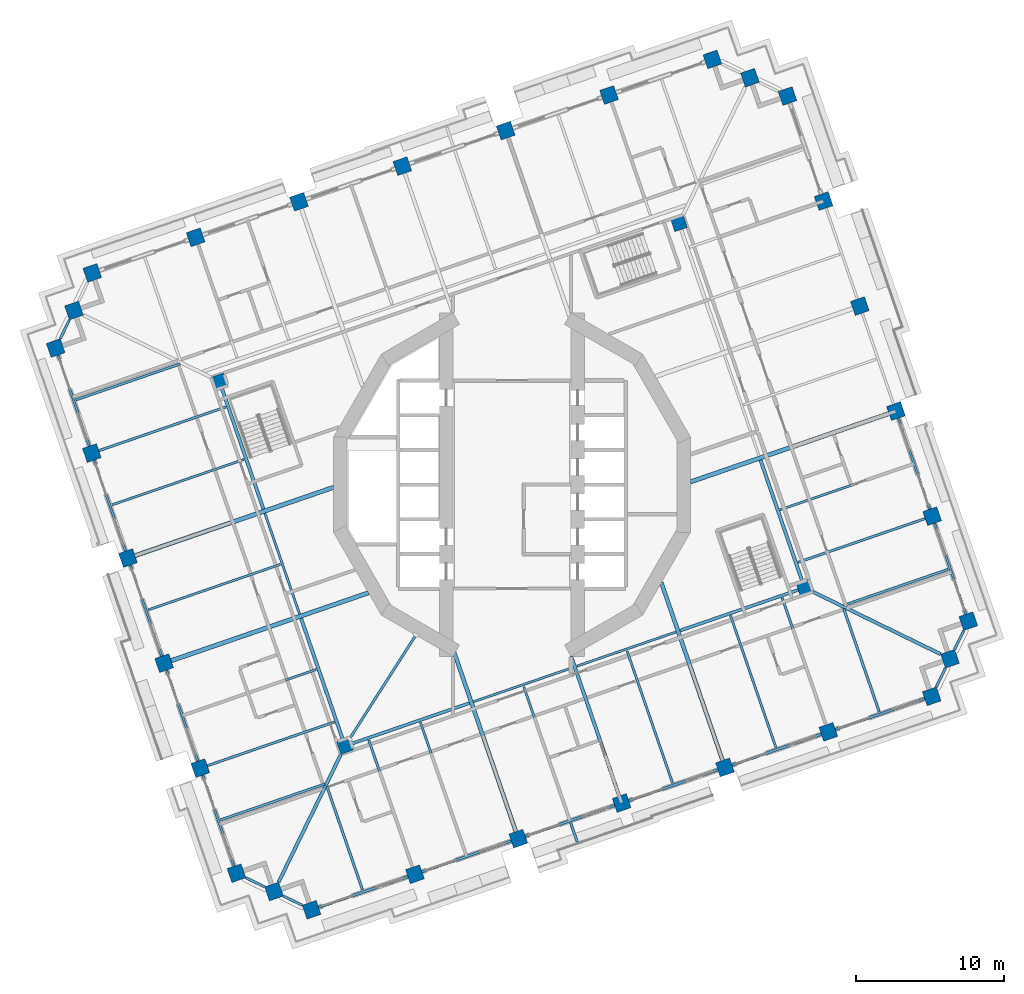
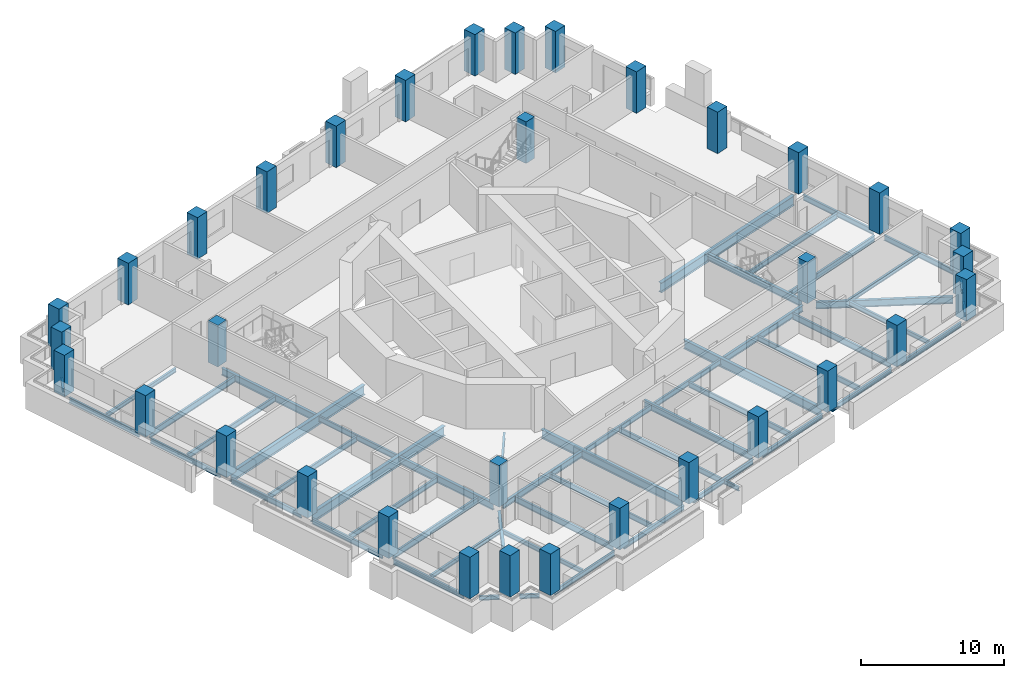
# One storey, part 1 of 19: 54 beams, 34 columns.
"""IFC4 building model written with IfcOpenShell, lengths in metres."""

from ifc_helpers import new_model, si_unit, direction, frame, origin, origin_2d, place, context, subcontext, project, spatial, rectangle, i_section, extrude, material, material_profile, profile_set, type_object, element, save


model = new_model("IFC4")

# Units and contexts
model_context = context("Model", 3, precision=1e-05, world=origin(), true_north=direction((0.0, 1.0)))
body_context = subcontext(model_context, "Body", "Model", "MODEL_VIEW")
ifc_project = project(units=[si_unit("LENGTHUNIT", "METRE"), si_unit("AREAUNIT", "SQUARE_METRE"), si_unit("VOLUMEUNIT", "CUBIC_METRE"), si_unit("PLANEANGLEUNIT", "RADIAN"), si_unit("MASSUNIT", "GRAM", prefix="KILO")], contexts=[model_context])

# Site, building, storey
site_placement = place(None, origin())
site = spatial("IfcSite", under=ifc_project, at=site_placement, CompositionType="ELEMENT")
building_placement = place(site_placement, origin())
building = spatial("IfcBuilding", under=site, at=building_placement, Name="Cantera Rosa Tower", CompositionType="ELEMENT")
storey_placement = place(building_placement, frame((0.0, 0.0, 123.10009765625)))
storey = spatial("IfcBuildingStorey", under=building, at=storey_placement, Name="L25", CompositionType="ELEMENT", Elevation=123.10009765625)

# Columns
ifc_material_1 = material(Name="Concrete C70/85", Category="concrete")
ifc_material_profile_1 = material_profile(ifc_material_1, rectangle(XDim=1.0, YDim=1.0, at=origin_2d()), Name="RC COLUMN RC1000X1000 C70/85")
ifc_profile_set_1 = profile_set([ifc_material_profile_1], Name="Concrete C70/85")
column_type_1 = type_object("IfcColumnType", Name="RC COLUMN RC1000X1000 C70/85", PredefinedType="COLUMN", material=ifc_profile_set_1)
for number, where, z_axis, x_axis, name in (
    (1, (30.893310546875, -9.245849609375, 0.0), (0.0, 0.0, 1.0), (0.945518575599, 0.325568154457, 0.0), "C-Z2-01 L25"),
    (2, (28.445068359375, -2.135498046875, 0.0), (0.0, 0.0, 1.0), (0.945518575599, 0.325568154457, 0.0), "C-Z2-02 L25"),
    (3, (25.996826171875, 4.974853515625, 0.0), (0.0, 0.0, 1.0), (0.945518575599, 0.325568154457, 0.0), "C-Z2-03 L25"),
    (4, (23.54833984375, 12.0849609375, 0.0), (0.0, 0.0, 1.0), (0.945518575599, 0.325568154457, 0.0), "C-Z2-04 L25"),
    (5, (21.10009765625, 19.1953125, 0.0), (0.0, 0.0, 1.0), (0.945518575599, 0.325568154457, 0.0), "C-Z2-05 L25"),
    (6, (18.65185546875, 26.3056640625, 0.0), (0.0, 0.0, 1.0), (0.945518575599, 0.325568154457, 0.0), "C-Z2-06 L25"),
    (7, (16.109619140625, 27.545654296875, 0.0), (0.0, 0.0, 1.0), (0.945518575599, 0.325568154457, 0.0), "C-Z2-07 L25"),
    (8, (13.567626953125, 28.785400390625, 0.0), (0.0, 0.0, 1.0), (0.945518575599, 0.325568154457, 0.0), "C-Z2-08 L25"),
    (9, (6.57080078125, 26.376220703125, 0.0), (0.0, 0.0, 1.0), (0.945518575599, 0.325568154457, 0.0), "C-Z2-09 L25"),
    (10, (-0.426025390625, 23.967041015625, 0.0), (0.0, 0.0, 1.0), (0.945518575599, 0.325568154457, 0.0), "C-Z2-10 L25"),
    (11, (-7.4228515625, 21.557861328125, 0.0), (0.0, 0.0, 1.0), (0.945518575599, 0.325568154457, 0.0), "C-Z2-11 L25"),
    (12, (-14.419677734375, 19.148681640625, 0.0), (0.0, 0.0, 1.0), (0.945518575599, 0.325568154457, 0.0), "C-Z2-12 L25"),
    (13, (-21.416748046875, 16.739501953125, 0.0), (0.0, 0.0, 1.0), (0.945518575599, 0.325568154457, 0.0), "C-Z2-13 L25"),
    (14, (-28.41357421875, 14.330322265625, 0.0), (0.0, 0.0, 1.0), (0.945518575599, 0.325568154457, 0.0), "C-Z2-14 L25"),
    (15, (-29.6533203125, 11.7880859375, 0.0), (0.0, 0.0, 1.0), (0.945518575599, 0.325568154457, 0.0), "C-Z2-15 L25"),
    (16, (-30.893310546875, 9.245849609375, 0.0), (0.0, 0.0, 1.0), (0.945518575599, 0.325568154457, 0.0), "C-Z2-16 L25"),
    (17, (-28.445068359375, 2.135498046875, 0.0), (0.0, 0.0, 1.0), (0.945518575599, 0.325568154457, 0.0), "C-Z2-17 L25"),
    (18, (-25.996826171875, -4.974853515625, 0.0), (0.0, 0.0, 1.0), (0.945518575599, 0.325568154457, 0.0), "C-Z2-18 L25"),
    (19, (-23.54833984375, -12.0849609375, 0.0), (0.0, 0.0, 1.0), (0.945518575599, 0.325568154457, 0.0), "C-Z2-19 L25"),
    (20, (-21.10009765625, -19.1953125, 0.0), (0.0, 0.0, 1.0), (0.945518575599, 0.325568154457, 0.0), "C-Z2-20 L25"),
    (21, (-18.65185546875, -26.3056640625, 0.0), (0.0, 0.0, 1.0), (0.945518575599, 0.325568154457, 0.0), "C-Z2-21 L25"),
    (22, (-16.109619140625, -27.545654296875, 0.0), (0.0, 0.0, 1.0), (0.945518575599, 0.325568154457, 0.0), "C-Z2-22 L25"),
    (23, (-13.567626953125, -28.785400390625, 0.0), (0.0, 0.0, 1.0), (0.945518575599, 0.325568154457, 0.0), "C-Z2-23 L25"),
    (24, (-6.57080078125, -26.376220703125, 0.0), (0.0, 0.0, 1.0), (0.945518575599, 0.325568154457, 0.0), "C-Z2-24 L25"),
    (25, (0.426025390625, -23.967041015625, 0.0), (0.0, 0.0, 1.0), (0.945518575599, 0.325568154457, 0.0), "C-Z2-25 L25"),
    (26, (7.4228515625, -21.557861328125, 0.0), (0.0, 0.0, 1.0), (0.945518575599, 0.325568154457, 0.0), "C-Z2-26 L25"),
    (27, (14.419677734375, -19.148681640625, 0.0), (0.0, 0.0, 1.0), (0.945518575599, 0.325568154457, 0.0), "C-Z2-27 L25"),
    (28, (21.416748046875, -16.739501953125, 0.0), (0.0, 0.0, 1.0), (0.945518575599, 0.325568154457, 0.0), "C-Z2-28 L25"),
    (29, (28.41357421875, -14.330322265625, 0.0), (0.0, 0.0, 1.0), (0.945518575599, 0.325568154457, 0.0), "C-Z2-29 L25"),
    (30, (29.6533203125, -11.7880859375, 0.0), (0.0, 0.0, 1.0), (0.945518575599, 0.325568154457, 0.0), "C-Z2-30 L25"),
):
    element("IfcColumn", number, at=place(storey_placement, frame(where, z_axis=z_axis, x_axis=x_axis)), inside=storey, type_object=column_type_1, Name=name, PredefinedType="COLUMN", context=body_context, shape_type="SweptSolid", body=[
        extrude(rectangle(XDim=1.0, YDim=1.0, at=origin_2d()), origin(), (0.0, 0.0, 1.0), 3.5498046875),
    ])
ifc_material_2 = material(Name="Concrete C70/85", Category="concrete")
ifc_material_profile_2 = material_profile(ifc_material_2, rectangle(XDim=0.89990234375, YDim=0.89990234375, at=origin_2d()), Name="RC RING COLUMN RC900X900 C70/85")
ifc_profile_set_2 = profile_set([ifc_material_profile_2], Name="Concrete C70/85")
column_type_2 = type_object("IfcColumnType", Name="RC RING COLUMN RC900X900 C70/85", PredefinedType="COLUMN", material=ifc_profile_set_2)
for number, where, z_axis, x_axis, name in (
    (31, (11.30517578125, 17.694580078125, 0.0), (0.0, 0.0, 1.0), (0.945518575599, 0.325568154457, 0.0), "CI-Z2-1 L25"),
    (32, (-19.802490234375, 6.9833984375, 0.0), (0.0, 0.0, 1.0), (0.945518575599, 0.325568154457, 0.0), "CI-Z2-2 L25"),
    (33, (-11.30517578125, -17.694580078125, 0.0), (0.0, 0.0, 1.0), (0.945518575599, 0.325568154457, 0.0), "CI-Z2-3 L25"),
    (34, (19.802490234375, -6.9833984375, 0.0), (0.0, 0.0, 1.0), (0.945518575599, 0.325568154457, 0.0), "CI-Z2-4 L25"),
):
    element("IfcColumn", number, at=place(storey_placement, frame(where, z_axis=z_axis, x_axis=x_axis)), inside=storey, type_object=column_type_2, Name=name, PredefinedType="COLUMN", context=body_context, shape_type="SweptSolid", body=[
        extrude(rectangle(XDim=0.89990234375, YDim=0.89990234375, at=origin_2d()), origin(), (0.0, 0.0, 1.0), 3.5498046875),
    ])

# Beams
ifc_material_3 = material(Name="Steel ASTM A992 (Fy 345 MPa)", Category="steel")
ifc_material_profile_3 = material_profile(ifc_material_3, i_section(OverallWidth=0.154052734375, OverallDepth=0.4599609375, WebThickness=0.009033203125, FlangeThickness=0.015380859375, FilletRadius=0.01025390625, at=origin_2d()), Name="W460X68")
ifc_profile_set_3 = profile_set([ifc_material_profile_3], Name="Steel ASTM A992 (Fy 345 MPa)")
beam_type_1 = type_object("IfcBeamType", Name="STEEL BEAM W460X68", PredefinedType="BEAM", material=ifc_profile_set_3)
for number, where, z_axis, x_axis, name in (
    (35, (-2.6064453125, -14.699462890625, -0.47998046875), (0.9455219702, 0.325558295653, 0.0), (-0.325558295653, 0.9455219702, 0.0), "RB-Z2-06 L25"),
    (36, (4.390380859375, -12.290283203125, -0.47998046875), (0.9455219702, 0.325558295653, 0.0), (-0.325558295653, 0.9455219702, 0.0), "RB-Z2-07 L25"),
):
    element("IfcBeam", number, at=place(storey_placement, frame(where, z_axis=z_axis, x_axis=x_axis)), inside=storey, type_object=beam_type_1, Name=name, PredefinedType="BEAM", context=body_context, shape_type="SweptSolid", body=[
        extrude(i_section(OverallWidth=0.154052734375, OverallDepth=0.4599609375, WebThickness=0.009033203125, FlangeThickness=0.015380859375, FilletRadius=0.01025390625, at=origin_2d()), origin(), (0.0, 0.0, 1.0), 7.10009765625),
    ])
beam_1_placement = place(storey_placement, frame((-14.37841796875, -8.768798828125, -0.47998046875), z_axis=(-0.325575881702, 0.94551591486, 0.0), x_axis=(-0.94551591486, -0.325575881702, 0.0)))
element("IfcBeam", 37, at=beam_1_placement, inside=storey, type_object=beam_type_1, Name="RB-Z2-13 L25", PredefinedType="BEAM", context=body_context, shape_type="SweptSolid", body=[
    extrude(i_section(OverallWidth=0.154052734375, OverallDepth=0.4599609375, WebThickness=0.009033203125, FlangeThickness=0.015380859375, FilletRadius=0.01025390625, at=origin_2d()), origin(), (0.0, 0.0, 1.0), 7.2197265625),
])
ifc_material_4 = material(Name="Steel ASTM A992 (Fy 345 MPa)", Category="steel")
ifc_material_profile_4 = material_profile(ifc_material_4, i_section(OverallWidth=0.166015625, OverallDepth=0.528076171875, WebThickness=0.009765625, FlangeThickness=0.013671875, FilletRadius=0.0126953125, at=origin_2d()), Name="W530X74")
ifc_profile_set_4 = profile_set([ifc_material_profile_4], Name="Steel ASTM A992 (Fy 345 MPa)")
beam_type_2 = type_object("IfcBeamType", Name="STEEL BEAM W530X74", PredefinedType="BEAM", material=ifc_profile_set_4)
for number, where, z_axis, x_axis, name in (
    (38, (27.97216796875, -2.29833984375, -0.51416015625), (-0.94551971591, -0.325564842737, 0.0), (0.325564842737, -0.94551971591, 0.0), "G-Z2-01 L25"),
    (39, (-6.7333984375, -25.903564453125, -0.51416015625), (-0.325588827377, 0.945511457089, 0.0), (-0.945511457089, -0.325588827377, 0.0), "G-Z2-10 L25"),
    (40, (21.25390625, -16.2666015625, -0.51416015625), (-0.325564842737, 0.94551971591, 0.0), (-0.94551971591, -0.325564842737, 0.0), "G-Z2-14 L25"),
    (41, (-27.97216796875, 2.29833984375, -0.51416015625), (0.94551971591, 0.325564842737, 0.0), (-0.325564842737, 0.94551971591, 0.0), "G-Z2-15 L25"),
    (42, (-20.62744140625, -19.032470703125, -0.51416015625), (0.94551971591, 0.325564842737, 0.0), (-0.325564842737, 0.94551971591, 0.0), "G-Z2-18 L25"),
):
    element("IfcBeam", number, at=place(storey_placement, frame(where, z_axis=z_axis, x_axis=x_axis)), inside=storey, type_object=beam_type_2, Name=name, PredefinedType="BEAM", context=body_context, shape_type="SweptSolid", body=[
        extrude(i_section(OverallWidth=0.166015625, OverallDepth=0.528076171875, WebThickness=0.009765625, FlangeThickness=0.013671875, FilletRadius=0.0126953125, at=origin_2d()), origin(), (0.0, 0.0, 1.0), 9.10009765625),
    ])
beam_2_placement = place(storey_placement, frame((-10.995849609375, -17.21044921875, -0.51416015625), z_axis=(0.538396209095, 0.842691830999, 0.0), x_axis=(-0.842691830999, 0.538396209095, 0.0)))
element("IfcBeam", 43, at=beam_2_placement, inside=storey, type_object=beam_type_2, Name="PG-Z2-01 L25", PredefinedType="BEAM", context=body_context, shape_type="SweptSolid", body=[
    extrude(i_section(OverallWidth=0.166015625, OverallDepth=0.528076171875, WebThickness=0.009765625, FlangeThickness=0.013671875, FilletRadius=0.0126953125, at=origin_2d()), origin(), (0.0, 0.0, 1.0), 8.3369140625),
])
ifc_material_5 = material(Name="Steel ASTM A992 (Fy 345 MPa)", Category="steel")
ifc_material_profile_5 = material_profile(ifc_material_5, i_section(OverallWidth=0.208984375, OverallDepth=0.532958984375, WebThickness=0.01025390625, FlangeThickness=0.015625, FilletRadius=0.0126953125, at=origin_2d()), Name="W530X92")
ifc_profile_set_5 = profile_set([ifc_material_profile_5], Name="Steel ASTM A992 (Fy 345 MPa)")
beam_type_3 = type_object("IfcBeamType", Name="STEEL BEAM W530X92", PredefinedType="BEAM", material=ifc_profile_set_5)
beam_3_placement = place(storey_placement, frame((-10.879638671875, -17.548095703125, -0.5166015625), z_axis=(0.945522715377, 0.325556131421, 0.0), x_axis=(-0.325556131421, 0.945522715377, 0.0)))
element("IfcBeam", 44, at=beam_3_placement, inside=storey, type_object=beam_type_3, Name="RB-Z2-05 L25", PredefinedType="BEAM", context=body_context, shape_type="SweptSolid", body=[
    extrude(i_section(OverallWidth=0.208984375, OverallDepth=0.532958984375, WebThickness=0.01025390625, FlangeThickness=0.015625, FilletRadius=0.0126953125, at=origin_2d()), origin(), (0.0, 0.0, 1.0), 8.4501953125),
])
beam_4_placement = place(storey_placement, frame((11.387451171875, -9.880859375, -0.5166015625), z_axis=(0.945519653071, 0.325565025235, 0.0), x_axis=(-0.325565025235, 0.945519653071, 0.0)))
element("IfcBeam", 45, at=beam_4_placement, inside=storey, type_object=beam_type_3, Name="RB-Z2-08 L25", PredefinedType="BEAM", context=body_context, shape_type="SweptSolid", body=[
    extrude(i_section(OverallWidth=0.208984375, OverallDepth=0.532958984375, WebThickness=0.01025390625, FlangeThickness=0.015625, FilletRadius=0.0126953125, at=origin_2d()), origin(), (0.0, 0.0, 1.0), 8.449951171875),
])
ifc_material_6 = material(Name="Steel ASTM A992 (Fy 345 MPa)", Category="steel")
ifc_material_profile_6 = material_profile(ifc_material_6, i_section(OverallWidth=0.22802734375, OverallDepth=0.60205078125, WebThickness=0.010498046875, FlangeThickness=0.014892578125, FilletRadius=0.0126953125, at=origin_2d()), Name="W610X101")
ifc_profile_set_6 = profile_set([ifc_material_profile_6], Name="Steel ASTM A992 (Fy 345 MPa)")
beam_type_4 = type_object("IfcBeamType", Name="STEEL BEAM W610X101", PredefinedType="BEAM", material=ifc_profile_set_6)
beam_5_placement = place(storey_placement, frame((-15.7998046875, -26.909912109375, -0.551025390625), z_axis=(0.438387618569, 0.898786012288, 0.0), x_axis=(-0.898786012288, 0.438387618569, 0.0)))
element("IfcBeam", 46, at=beam_5_placement, inside=storey, type_object=beam_type_4, Name="CB-Z2-03 L25", PredefinedType="BEAM", context=body_context, shape_type="SweptSolid", body=[
    extrude(i_section(OverallWidth=0.22802734375, OverallDepth=0.60205078125, WebThickness=0.010498046875, FlangeThickness=0.014892578125, FilletRadius=0.0126953125, at=origin_2d()), origin(), (0.0, 0.0, 1.0), 9.61669921875),
])
beam_6_placement = place(storey_placement, frame((29.017822265625, -11.47802734375, -0.551025390625), z_axis=(-0.898796015179, 0.438367109965, 0.0), x_axis=(-0.438367109965, -0.898796015179, 0.0)))
element("IfcBeam", 47, at=beam_6_placement, inside=storey, type_object=beam_type_4, Name="CB-Z2-04 L25", PredefinedType="BEAM", context=body_context, shape_type="SweptSolid", body=[
    extrude(i_section(OverallWidth=0.22802734375, OverallDepth=0.60205078125, WebThickness=0.010498046875, FlangeThickness=0.014892578125, FilletRadius=0.0126953125, at=origin_2d()), origin(), (0.0, 0.0, 1.0), 9.616455078125),
])
beam_7_placement = place(storey_placement, frame((7.26025390625, -21.0849609375, -0.551025390625), z_axis=(-0.325587365823, 0.945511960377, 0.0), x_axis=(-0.945511960377, -0.325587365823, 0.0)))
element("IfcBeam", 48, at=beam_7_placement, inside=storey, type_object=beam_type_4, Name="G-Z2-12 L25", PredefinedType="BEAM", context=body_context, shape_type="SweptSolid", body=[
    extrude(i_section(OverallWidth=0.22802734375, OverallDepth=0.60205078125, WebThickness=0.010498046875, FlangeThickness=0.014892578125, FilletRadius=0.0126953125, at=origin_2d()), origin(), (0.0, 0.0, 1.0), 10.0),
])
for number, where, z_axis, x_axis, name in (
    (49, (19.656005859375, -6.557861328125, -0.551025390625), (-0.325584584945, 0.945512917969, 0.0), (-0.945512917969, -0.325584584945, 0.0), "RB-Z2-09 L25"),
    (50, (-11.45166015625, -17.26904296875, -0.551025390625), (-0.325559468466, 0.945521566381, 0.0), (-0.945521566381, -0.325559468466, 0.0), "RB-Z2-12 L25"),
    (51, (-16.82666015625, -1.65869140625, -0.551025390625), (-0.325584584945, 0.945512917969, 0.0), (-0.945512917969, -0.325584584945, 0.0), "RB-Z2-14 L25"),
):
    element("IfcBeam", number, at=place(storey_placement, frame(where, z_axis=z_axis, x_axis=x_axis)), inside=storey, type_object=beam_type_4, Name=name, PredefinedType="BEAM", context=body_context, shape_type="SweptSolid", body=[
        extrude(i_section(OverallWidth=0.22802734375, OverallDepth=0.60205078125, WebThickness=0.010498046875, FlangeThickness=0.014892578125, FilletRadius=0.0126953125, at=origin_2d()), origin(), (0.0, 0.0, 1.0), 8.68994140625),
    ])
ifc_material_7 = material(Name="Steel ASTM A992 (Fy 345 MPa)", Category="steel")
ifc_material_profile_7 = material_profile(ifc_material_7, i_section(OverallWidth=0.26708984375, OverallDepth=0.75390625, WebThickness=0.01318359375, FlangeThickness=0.01708984375, FilletRadius=0.0166015625, at=origin_2d()), Name="W760X147")
ifc_profile_set_7 = profile_set([ifc_material_profile_7], Name="Steel ASTM A992 (Fy 345 MPa)")
beam_type_5 = type_object("IfcBeamType", Name="STEEL BEAM W760X147", PredefinedType="BEAM", material=ifc_profile_set_7)
beam_8_placement = place(storey_placement, frame((0.263427734375, -23.494384765625, -0.627197265625), z_axis=(-0.325569500581, 0.945518112091, 0.0), x_axis=(-0.945518112091, -0.325569500581, 0.0)))
element("IfcBeam", 52, at=beam_8_placement, inside=storey, type_object=beam_type_5, Name="G-Z2-11 L25", PredefinedType="BEAM", context=body_context, shape_type="SweptSolid", body=[
    extrude(i_section(OverallWidth=0.26708984375, OverallDepth=0.75390625, WebThickness=0.01318359375, FlangeThickness=0.01708984375, FilletRadius=0.0166015625, at=origin_2d()), origin(), (0.0, 0.0, 1.0), 13.09521484375),
])
beam_9_placement = place(storey_placement, frame((14.257080078125, -18.67578125, -0.627197265625), z_axis=(-0.325575880476, 0.945515915282, 0.0), x_axis=(-0.945515915282, -0.325575880476, 0.0)))
element("IfcBeam", 53, at=beam_9_placement, inside=storey, type_object=beam_type_5, Name="G-Z2-13 L25", PredefinedType="BEAM", context=body_context, shape_type="SweptSolid", body=[
    extrude(i_section(OverallWidth=0.26708984375, OverallDepth=0.75390625, WebThickness=0.01318359375, FlangeThickness=0.01708984375, FilletRadius=0.0166015625, at=origin_2d()), origin(), (0.0, 0.0, 1.0), 12.734375),
])
ifc_material_8 = material(Name="Steel ASTM A992 (Fy 345 MPa)", Category="steel")
ifc_material_profile_8 = material_profile(ifc_material_8, i_section(OverallWidth=0.2919921875, OverallDepth=0.8359375, WebThickness=0.013916015625, FlangeThickness=0.018798828125, FilletRadius=0.017822265625, at=origin_2d()), Name="W840X176")
ifc_profile_set_8 = profile_set([ifc_material_profile_8], Name="Steel ASTM A992 (Fy 345 MPa)")
beam_type_6 = type_object("IfcBeamType", Name="STEEL BEAM W840X176", PredefinedType="BEAM", material=ifc_profile_set_8)
for number, where, z_axis, x_axis, name in (
    (54, (25.52392578125, 4.81201171875, -0.668212890625), (-0.945515154884, -0.325578088765, 0.0), (0.325578088765, -0.945515154884, 0.0), "G-Z2-02 L25"),
    (55, (-25.52392578125, -4.81201171875, -0.668212890625), (0.945515154884, 0.325578088765, 0.0), (-0.325578088765, 0.945515154884, 0.0), "G-Z2-16 L25"),
):
    element("IfcBeam", number, at=place(storey_placement, frame(where, z_axis=z_axis, x_axis=x_axis)), inside=storey, type_object=beam_type_6, Name=name, PredefinedType="BEAM", context=body_context, shape_type="SweptSolid", body=[
        extrude(i_section(OverallWidth=0.2919921875, OverallDepth=0.8359375, WebThickness=0.013916015625, FlangeThickness=0.018798828125, FilletRadius=0.017822265625, at=origin_2d()), origin(), (0.0, 0.0, 1.0), 14.22509765625),
    ])
beam_10_placement = place(storey_placement, frame((-23.07568359375, -11.92236328125, -0.668212890625), z_axis=(0.945516836256, 0.325573205833, 0.0), x_axis=(-0.325573205833, 0.945516836256, 0.0)))
element("IfcBeam", 56, at=beam_10_placement, inside=storey, type_object=beam_type_6, Name="G-Z2-17 L25", PredefinedType="BEAM", context=body_context, shape_type="SweptSolid", body=[
    extrude(i_section(OverallWidth=0.2919921875, OverallDepth=0.8359375, WebThickness=0.013916015625, FlangeThickness=0.018798828125, FilletRadius=0.017822265625, at=origin_2d()), origin(), (0.0, 0.0, 1.0), 14.130615234375),
])
ifc_material_9 = material(Name="Steel ASTM A992 (Fy 345 MPa)", Category="steel")
ifc_material_profile_9 = material_profile(ifc_material_9, i_section(OverallWidth=0.1708984375, OverallDepth=0.35595703125, WebThickness=0.00732421875, FlangeThickness=0.01171875, FilletRadius=0.010009765625, at=origin_2d()), Name="W360X51")
ifc_profile_set_9 = profile_set([ifc_material_profile_9], Name="Steel ASTM A992 (Fy 345 MPa)")
beam_type_7 = type_object("IfcBeamType", Name="STEEL JOIST W360X51", PredefinedType="JOIST", material=ifc_profile_set_9)
beam_11_placement = place(storey_placement, frame((29.52734375, -5.739501953125, -0.427978515625), z_axis=(-0.945521732807, -0.325558985116, 0.0), x_axis=(0.325558985116, -0.945521732807, 0.0)))
element("IfcBeam", 57, at=beam_11_placement, inside=storey, type_object=beam_type_7, Name="B-Z2-01 L25", PredefinedType="JOIST", context=body_context, shape_type="SweptSolid", body=[
    extrude(i_section(OverallWidth=0.1708984375, OverallDepth=0.35595703125, WebThickness=0.00732421875, FlangeThickness=0.01171875, FilletRadius=0.010009765625, at=origin_2d()), origin(), (0.0, 0.0, 1.0), 7.460205078125),
])
for number, where, z_axis, x_axis, name in (
    (58, (-10.117919921875, -27.43896484375, -0.427978515625), (-0.325565645331, 0.945519439557, 0.0), (-0.945519439557, -0.325565645331, 0.0), "B-Z2-12 L25"),
    (59, (24.8662109375, -15.39306640625, -0.427978515625), (-0.325565645331, 0.945519439557, 0.0), (-0.945519439557, -0.325565645331, 0.0), "B-Z2-17 L25"),
):
    element("IfcBeam", number, at=place(storey_placement, frame(where, z_axis=z_axis, x_axis=x_axis)), inside=storey, type_object=beam_type_7, Name=name, PredefinedType="JOIST", context=body_context, shape_type="SweptSolid", body=[
        extrude(i_section(OverallWidth=0.1708984375, OverallDepth=0.35595703125, WebThickness=0.00732421875, FlangeThickness=0.01171875, FilletRadius=0.010009765625, at=origin_2d()), origin(), (0.0, 0.0, 1.0), 7.39990234375),
    ])
beam_12_placement = place(storey_placement, frame((-29.52734375, 5.739501953125, -0.427978515625), z_axis=(0.945521732807, 0.325558985116, 0.0), x_axis=(-0.325558985116, 0.945521732807, 0.0)))
element("IfcBeam", 60, at=beam_12_placement, inside=storey, type_object=beam_type_7, Name="B-Z2-18 L25", PredefinedType="JOIST", context=body_context, shape_type="SweptSolid", body=[
    extrude(i_section(OverallWidth=0.1708984375, OverallDepth=0.35595703125, WebThickness=0.00732421875, FlangeThickness=0.01171875, FilletRadius=0.010009765625, at=origin_2d()), origin(), (0.0, 0.0, 1.0), 7.460205078125),
])
beam_13_placement = place(storey_placement, frame((-19.734130859375, -22.70166015625, -0.427978515625), z_axis=(0.945518264054, 0.32556905925, 0.0), x_axis=(-0.32556905925, 0.945518264054, 0.0)))
element("IfcBeam", 61, at=beam_13_placement, inside=storey, type_object=beam_type_7, Name="B-Z2-22 L25", PredefinedType="JOIST", context=body_context, shape_type="SweptSolid", body=[
    extrude(i_section(OverallWidth=0.1708984375, OverallDepth=0.35595703125, WebThickness=0.00732421875, FlangeThickness=0.01171875, FilletRadius=0.010009765625, at=origin_2d()), origin(), (0.0, 0.0, 1.0), 7.4599609375),
])
beam_14_placement = place(storey_placement, frame((3.966796875, -22.88525390625, -0.427978515625), z_axis=(0.325633232833, -0.945496164812, 0.0), x_axis=(0.945496164812, 0.325633232833, 0.0)))
element("IfcBeam", 62, at=beam_14_placement, inside=storey, type_object=beam_type_7, Name="BS-Z2-13 L25", PredefinedType="JOIST", context=body_context, shape_type="SweptSolid", body=[
    extrude(i_section(OverallWidth=0.1708984375, OverallDepth=0.35595703125, WebThickness=0.00732421875, FlangeThickness=0.01171875, FilletRadius=0.010009765625, at=origin_2d()), origin(), (0.0, 0.0, 1.0), 1.3681640625),
])
ifc_material_10 = material(Name="Steel ASTM A992 (Fy 345 MPa)", Category="steel")
ifc_material_profile_10 = material_profile(ifc_material_10, i_section(OverallWidth=0.154052734375, OverallDepth=0.4599609375, WebThickness=0.009033203125, FlangeThickness=0.015380859375, FilletRadius=0.01025390625, at=origin_2d()), Name="W460X68")
ifc_profile_set_10 = profile_set([ifc_material_profile_10], Name="Steel ASTM A992 (Fy 345 MPa)")
beam_type_8 = type_object("IfcBeamType", Name="STEEL JOIST W460X68", PredefinedType="JOIST", material=ifc_profile_set_10)
beam_15_placement = place(storey_placement, frame((27.0791015625, 1.370849609375, -0.47998046875), z_axis=(-0.945518943957, -0.325567084667, 0.0), x_axis=(0.325567084667, -0.945518943957, 0.0)))
element("IfcBeam", 63, at=beam_15_placement, inside=storey, type_object=beam_type_8, Name="B-Z2-02 L25", PredefinedType="JOIST", context=body_context, shape_type="SweptSolid", body=[
    extrude(i_section(OverallWidth=0.154052734375, OverallDepth=0.4599609375, WebThickness=0.009033203125, FlangeThickness=0.015380859375, FilletRadius=0.01025390625, at=origin_2d()), origin(), (0.0, 0.0, 1.0), 9.4501953125),
])
for number, where, z_axis, x_axis, name in (
    (64, (-3.12109375, -25.02978515625, -0.47998046875), (-0.325575037498, 0.94551620555, 0.0), (-0.94551620555, -0.325575037498, 0.0), "B-Z2-13 L25"),
    (65, (3.875732421875, -22.62060546875, -0.47998046875), (-0.325575037498, 0.94551620555, 0.0), (-0.94551620555, -0.325575037498, 0.0), "B-Z2-14 L25"),
):
    element("IfcBeam", number, at=place(storey_placement, frame(where, z_axis=z_axis, x_axis=x_axis)), inside=storey, type_object=beam_type_8, Name=name, PredefinedType="JOIST", context=body_context, shape_type="SweptSolid", body=[
        extrude(i_section(OverallWidth=0.154052734375, OverallDepth=0.4599609375, WebThickness=0.009033203125, FlangeThickness=0.015380859375, FilletRadius=0.01025390625, at=origin_2d()), origin(), (0.0, 0.0, 1.0), 9.449951171875),
    ])
for number, where, z_axis, x_axis, name in (
    (66, (10.87255859375, -20.21142578125, -0.47998046875), (-0.325567084667, 0.945518943957, 0.0), (-0.945518943957, -0.325567084667, 0.0), "B-Z2-15 L25"),
    (67, (17.869384765625, -17.80224609375, -0.47998046875), (-0.325567084667, 0.945518943957, 0.0), (-0.945518943957, -0.325567084667, 0.0), "B-Z2-16 L25"),
    (68, (-27.0791015625, -1.370849609375, -0.47998046875), (0.945518943957, 0.325567084667, 0.0), (-0.325567084667, 0.945518943957, 0.0), "B-Z2-19 L25"),
    (69, (-24.630859375, -8.48095703125, -0.47998046875), (0.945526896389, 0.325543988125, 0.0), (-0.325543988125, 0.945526896389, 0.0), "B-Z2-20 L25"),
):
    element("IfcBeam", number, at=place(storey_placement, frame(where, z_axis=z_axis, x_axis=x_axis)), inside=storey, type_object=beam_type_8, Name=name, PredefinedType="JOIST", context=body_context, shape_type="SweptSolid", body=[
        extrude(i_section(OverallWidth=0.154052734375, OverallDepth=0.4599609375, WebThickness=0.009033203125, FlangeThickness=0.015380859375, FilletRadius=0.01025390625, at=origin_2d()), origin(), (0.0, 0.0, 1.0), 9.4501953125),
    ])
beam_16_placement = place(storey_placement, frame((-22.182373046875, -15.59130859375, -0.47998046875), z_axis=(0.94551620555, 0.325575037498, 0.0), x_axis=(-0.325575037498, 0.94551620555, 0.0)))
element("IfcBeam", 70, at=beam_16_placement, inside=storey, type_object=beam_type_8, Name="B-Z2-21 L25", PredefinedType="JOIST", context=body_context, shape_type="SweptSolid", body=[
    extrude(i_section(OverallWidth=0.154052734375, OverallDepth=0.4599609375, WebThickness=0.009033203125, FlangeThickness=0.015380859375, FilletRadius=0.01025390625, at=origin_2d()), origin(), (0.0, 0.0, 1.0), 9.449951171875),
])
ifc_material_11 = material(Name="Steel ASTM A992 (Fy 345 MPa)", Category="steel")
ifc_material_profile_11 = material_profile(ifc_material_11, i_section(OverallWidth=0.1708984375, OverallDepth=0.35595703125, WebThickness=0.00732421875, FlangeThickness=0.01171875, FilletRadius=0.010009765625, at=origin_2d()), Name="W360X51")
ifc_profile_set_11 = profile_set([ifc_material_profile_11], Name="Steel ASTM A992 (Fy 345 MPa)")
beam_type_9 = type_object("IfcBeamType", Name="STEEL SPANDREL BEAM W360X51", PredefinedType="SPANDREL", material=ifc_profile_set_11)
beam_17_placement = place(storey_placement, frame((-29.96337890625, 11.152587890625, -0.427978515625), z_axis=(-0.438284186308, -0.898836454552, 0.0), x_axis=(0.898836454552, -0.438284186308, 0.0)))
element("IfcBeam", 71, at=beam_17_placement, inside=storey, type_object=beam_type_9, Name="EB-Z2-15 L25", PredefinedType="SPANDREL", context=body_context, shape_type="SweptSolid", body=[
    extrude(i_section(OverallWidth=0.1708984375, OverallDepth=0.35595703125, WebThickness=0.00732421875, FlangeThickness=0.01171875, FilletRadius=0.010009765625, at=origin_2d()), origin(), (0.0, 0.0, 1.0), 1.414306640625),
])
for number, where, z_axis, x_axis, name in (
    (72, (-18.016357421875, -26.61572265625, -0.427978515625), (0.898803287583, -0.438352198842, 0.0), (0.438352198842, 0.898803287583, 0.0), "EB-Z2-21 L25"),
    (73, (-15.47412109375, -27.85546875, -0.427978515625), (0.898803287583, -0.438352198842, 0.0), (0.438352198842, 0.898803287583, 0.0), "EB-Z2-22 L25"),
):
    element("IfcBeam", number, at=place(storey_placement, frame(where, z_axis=z_axis, x_axis=x_axis)), inside=storey, type_object=beam_type_9, Name=name, PredefinedType="SPANDREL", context=body_context, shape_type="SweptSolid", body=[
        extrude(i_section(OverallWidth=0.1708984375, OverallDepth=0.35595703125, WebThickness=0.00732421875, FlangeThickness=0.01171875, FilletRadius=0.010009765625, at=origin_2d()), origin(), (0.0, 0.0, 1.0), 1.4140625),
    ])
for number, where, z_axis, x_axis, name in (
    (74, (28.723388671875, -13.694580078125, -0.427978515625), (0.438491655897, 0.898735260079, 0.0), (-0.898735260079, 0.438491655897, 0.0), "EB-Z2-29 L25"),
    (75, (29.96337890625, -11.152587890625, -0.427978515625), (0.438284186308, 0.898836454552, 0.0), (-0.898836454552, 0.438284186308, 0.0), "EB-Z2-30 L25"),
):
    element("IfcBeam", number, at=place(storey_placement, frame(where, z_axis=z_axis, x_axis=x_axis)), inside=storey, type_object=beam_type_9, Name=name, PredefinedType="SPANDREL", context=body_context, shape_type="SweptSolid", body=[
        extrude(i_section(OverallWidth=0.1708984375, OverallDepth=0.35595703125, WebThickness=0.00732421875, FlangeThickness=0.01171875, FilletRadius=0.010009765625, at=origin_2d()), origin(), (0.0, 0.0, 1.0), 1.414306640625),
    ])
ifc_material_12 = material(Name="Steel ASTM A992 (Fy 345 MPa)", Category="steel")
ifc_material_profile_12 = material_profile(ifc_material_12, i_section(OverallWidth=0.177978515625, OverallDepth=0.406005859375, WebThickness=0.0078125, FlangeThickness=0.0126953125, FilletRadius=0.01025390625, at=origin_2d()), Name="W410X60")
ifc_profile_set_12 = profile_set([ifc_material_profile_12], Name="Steel ASTM A992 (Fy 345 MPa)")
beam_type_10 = type_object("IfcBeamType", Name="STEEL SPANDREL BEAM W410X60", PredefinedType="SPANDREL", material=ifc_profile_set_12)
for number, where, z_axis, x_axis, name in (
    (76, (-13.0947265625, -28.62255859375, -0.453125), (0.945524496524, 0.325550958337, 0.0), (-0.325550958337, 0.945524496524, 0.0), "EB-Z2-23 L25"),
    (77, (-6.097900390625, -26.21337890625, -0.453125), (0.945524496524, 0.325550958337, 0.0), (-0.325550958337, 0.945524496524, 0.0), "EB-Z2-24 L25"),
    (78, (0.89892578125, -23.80419921875, -0.453125), (0.945524496524, 0.325550958337, 0.0), (-0.325550958337, 0.945524496524, 0.0), "EB-Z2-25 L25"),
    (79, (7.895751953125, -21.39501953125, -0.453125), (0.945524496524, 0.325550958337, 0.0), (-0.325550958337, 0.945524496524, 0.0), "EB-Z2-26 L25"),
    (80, (14.892578125, -18.98583984375, -0.453125), (0.945512753621, 0.325585062219, 0.0), (-0.325585062219, 0.945512753621, 0.0), "EB-Z2-27 L25"),
    (81, (21.889404296875, -16.57666015625, -0.453125), (0.945512753621, 0.325585062219, 0.0), (-0.325585062219, 0.945512753621, 0.0), "EB-Z2-28 L25"),
):
    element("IfcBeam", number, at=place(storey_placement, frame(where, z_axis=z_axis, x_axis=x_axis)), inside=storey, type_object=beam_type_10, Name=name, PredefinedType="SPANDREL", context=body_context, shape_type="SweptSolid", body=[
        extrude(i_section(OverallWidth=0.177978515625, OverallDepth=0.406005859375, WebThickness=0.0078125, FlangeThickness=0.0126953125, FilletRadius=0.01025390625, at=origin_2d()), origin(), (0.0, 0.0, 1.0), 6.39990234375),
    ])
ifc_material_13 = material(Name="Steel ASTM A992 (Fy 345 MPa)", Category="steel")
ifc_material_profile_13 = material_profile(ifc_material_13, i_section(OverallWidth=0.154052734375, OverallDepth=0.4599609375, WebThickness=0.009033203125, FlangeThickness=0.015380859375, FilletRadius=0.01025390625, at=origin_2d()), Name="W460X68")
ifc_profile_set_13 = profile_set([ifc_material_profile_13], Name="Steel ASTM A992 (Fy 345 MPa)")
beam_type_11 = type_object("IfcBeamType", Name="STEEL SPANDREL BEAM W460X68", PredefinedType="SPANDREL", material=ifc_profile_set_13)
for number, where, z_axis, x_axis, name in (
    (82, (30.73046875, -8.773193359375, -0.47998046875), (-0.325580990241, 0.945514155787, 0.0), (-0.945514155787, -0.325580990241, 0.0), "EB-Z2-01 L25"),
    (83, (28.2822265625, -1.662841796875, -0.47998046875), (-0.325580990241, 0.945514155787, 0.0), (-0.945514155787, -0.325580990241, 0.0), "EB-Z2-02 L25"),
    (84, (-30.73046875, 8.773193359375, -0.47998046875), (0.325580990241, -0.945514155787, 0.0), (0.945514155787, 0.325580990241, 0.0), "EB-Z2-16 L25"),
    (85, (-28.2822265625, 1.662841796875, -0.47998046875), (0.325580990241, -0.945514155787, 0.0), (0.945514155787, 0.325580990241, 0.0), "EB-Z2-17 L25"),
    (86, (-25.833984375, -5.447509765625, -0.47998046875), (0.325580990241, -0.945514155787, 0.0), (0.945514155787, 0.325580990241, 0.0), "EB-Z2-18 L25"),
    (87, (-23.3857421875, -12.557861328125, -0.47998046875), (0.325580990241, -0.945514155787, 0.0), (0.945514155787, 0.325580990241, 0.0), "EB-Z2-19 L25"),
):
    element("IfcBeam", number, at=place(storey_placement, frame(where, z_axis=z_axis, x_axis=x_axis)), inside=storey, type_object=beam_type_11, Name=name, PredefinedType="SPANDREL", context=body_context, shape_type="SweptSolid", body=[
        extrude(i_section(OverallWidth=0.154052734375, OverallDepth=0.4599609375, WebThickness=0.009033203125, FlangeThickness=0.015380859375, FilletRadius=0.01025390625, at=origin_2d()), origin(), (0.0, 0.0, 1.0), 6.52001953125),
    ])
beam_18_placement = place(storey_placement, frame((-20.9375, -19.668212890625, -0.47998046875), z_axis=(0.325592517631, -0.945510186335, 0.0), x_axis=(0.945510186335, 0.325592517631, 0.0)))
element("IfcBeam", 88, at=beam_18_placement, inside=storey, type_object=beam_type_11, Name="EB-Z2-20 L25", PredefinedType="SPANDREL", context=body_context, shape_type="SweptSolid", body=[
    extrude(i_section(OverallWidth=0.154052734375, OverallDepth=0.4599609375, WebThickness=0.009033203125, FlangeThickness=0.015380859375, FilletRadius=0.01025390625, at=origin_2d()), origin(), (0.0, 0.0, 1.0), 6.519775390625),
])

save(model, "model.ifc")
